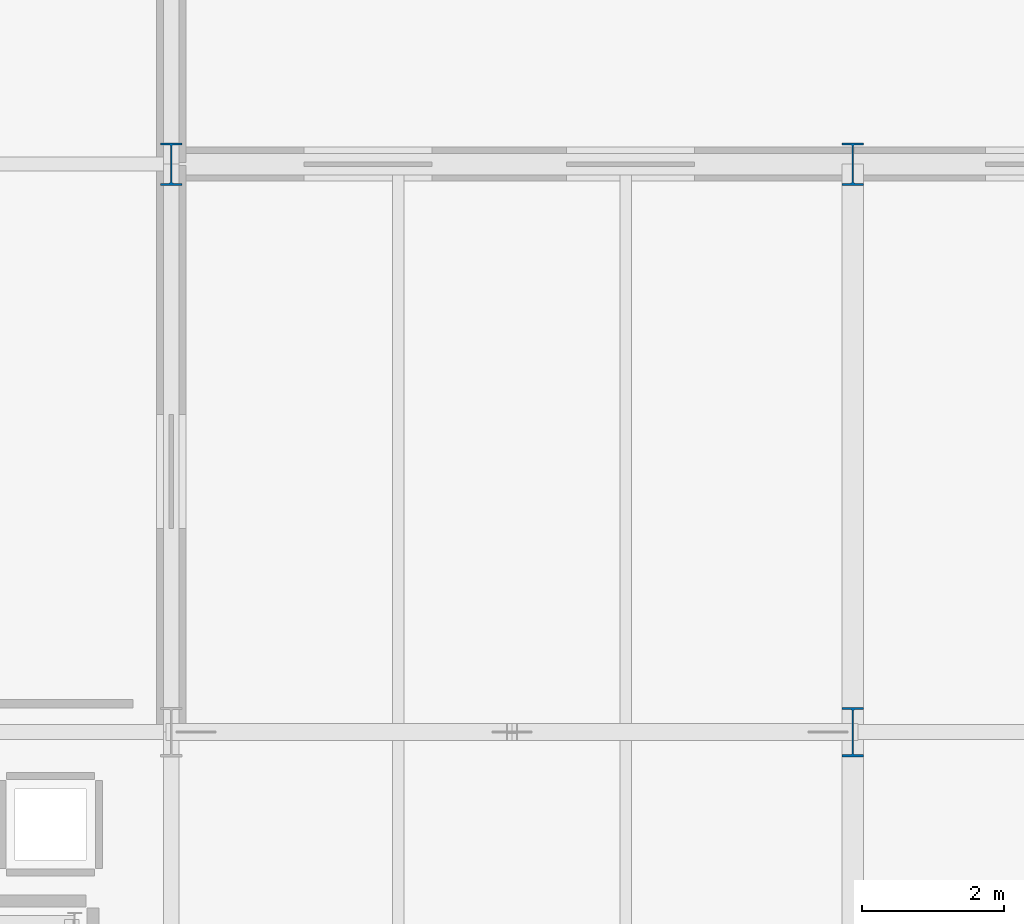
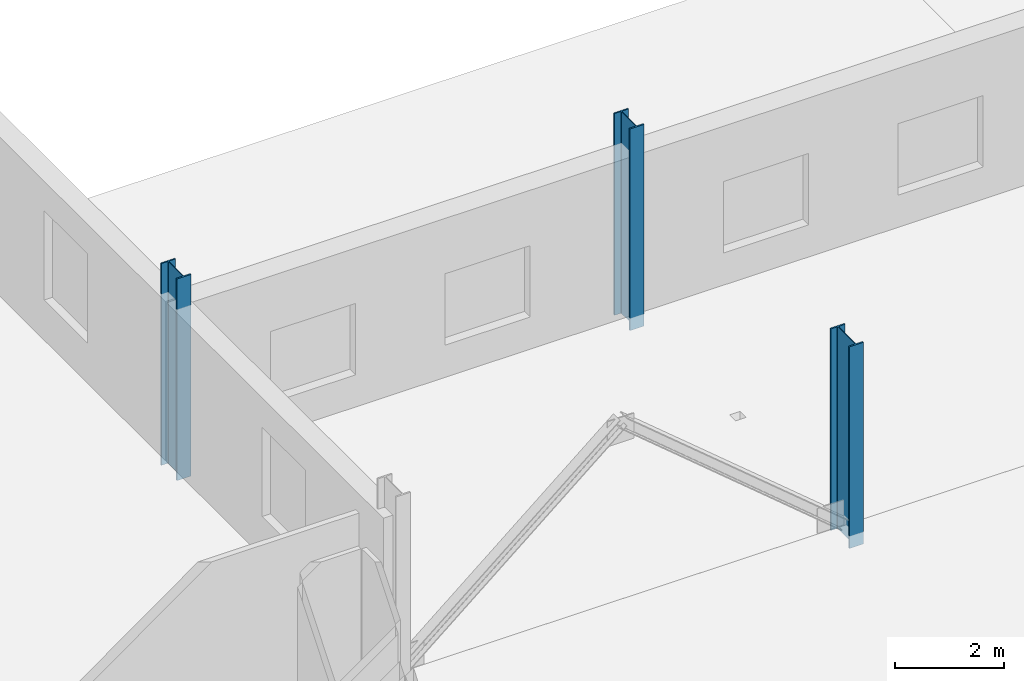
# One storey, part 15 of 78: 3 columns.
"""IFC4 building model written with IfcOpenShell, lengths in metres."""

from ifc_helpers import new_model, si_unit, direction, frame, origin, origin_2d, place, context, subcontext, project, spatial, i_section, extrude, material, material_profile, profile_set, type_object, element, save


model = new_model("IFC4")

# Units and contexts
model_context = context("Model", 3, precision=1e-05, world=origin(), true_north=direction((0.0, 1.0)))
body_context = subcontext(model_context, "Body", "Model", "MODEL_VIEW")
ifc_project = project(units=[si_unit("LENGTHUNIT", "METRE"), si_unit("AREAUNIT", "SQUARE_METRE"), si_unit("VOLUMEUNIT", "CUBIC_METRE"), si_unit("PLANEANGLEUNIT", "RADIAN"), si_unit("MASSUNIT", "GRAM", prefix="KILO")], contexts=[model_context])

# Site, building, storey
site_placement = place(None, origin())
site = spatial("IfcSite", under=ifc_project, at=site_placement, CompositionType="ELEMENT")
building_placement = place(site_placement, origin())
building = spatial("IfcBuilding", under=site, at=building_placement, Name="Alderhovde Museum", CompositionType="ELEMENT")
storey_placement = place(building_placement, origin())
storey = spatial("IfcBuildingStorey", under=building, at=storey_placement, Name="L00", CompositionType="ELEMENT", Elevation=0.0)

# Columns
ifc_material_1 = material(Name="Steel S355J2", Category="steel")
ifc_material_profile_1 = material_profile(ifc_material_1, i_section(OverallWidth=0.300048828125, OverallDepth=0.60009765625, WebThickness=0.015380859375, FlangeThickness=0.030029296875, FilletRadius=0.027099609375, at=origin_2d()), Name="HEB 600")
ifc_profile_set_1 = profile_set([ifc_material_profile_1], Name="Steel S355J2")
column_type_1 = type_object("IfcColumnType", Name="COL-HEB600", PredefinedType="COLUMN", material=ifc_profile_set_1)
for number, where, z_axis, x_axis, name in (
    (1, (57.60009765625, 88.0, -0.280029296875), (0.0, 0.0, 1.0), (1.0, 0.0, 0.0), "L00 Column (57.6, 88.0)"),
    (2, (67.199951171875, 88.0, -0.280029296875), (0.0, 0.0, 1.0), (1.0, 0.0, 0.0), "L00 Column (67.2, 88.0)"),
):
    element("IfcColumn", number, at=place(storey_placement, frame(where, z_axis=z_axis, x_axis=x_axis)), inside=storey, type_object=column_type_1, Name=name, PredefinedType="COLUMN", context=body_context, shape_type="SweptSolid", body=[
        extrude(i_section(OverallWidth=0.300048828125, OverallDepth=0.60009765625, WebThickness=0.015380859375, FlangeThickness=0.030029296875, FilletRadius=0.027099609375, at=origin_2d()), origin(), (0.0, 0.0, 1.0), 4.52001953125),
    ])
ifc_material_2 = material(Name="Steel S355J2", Category="steel")
ifc_material_profile_2 = material_profile(ifc_material_2, i_section(OverallWidth=0.300048828125, OverallDepth=0.699951171875, WebThickness=0.01708984375, FlangeThickness=0.031982421875, FilletRadius=0.027099609375, at=origin_2d()), Name="HEB 700")
ifc_profile_set_2 = profile_set([ifc_material_profile_2], Name="Steel S355J2")
column_type_2 = type_object("IfcColumnType", Name="COL-HEB700", PredefinedType="COLUMN", material=ifc_profile_set_2)
column_placement = place(storey_placement, frame((67.199951171875, 80.0, -0.280029296875), z_axis=(0.0, 0.0, 1.0), x_axis=(1.0, 0.0, 0.0)))
element("IfcColumn", 3, at=column_placement, inside=storey, type_object=column_type_2, Name="L00 Column (67.2, 80.0)", PredefinedType="COLUMN", context=body_context, shape_type="SweptSolid", body=[
    extrude(i_section(OverallWidth=0.300048828125, OverallDepth=0.699951171875, WebThickness=0.01708984375, FlangeThickness=0.031982421875, FilletRadius=0.027099609375, at=origin_2d()), origin(), (0.0, 0.0, 1.0), 4.52001953125),
])

save(model, "model.ifc")
